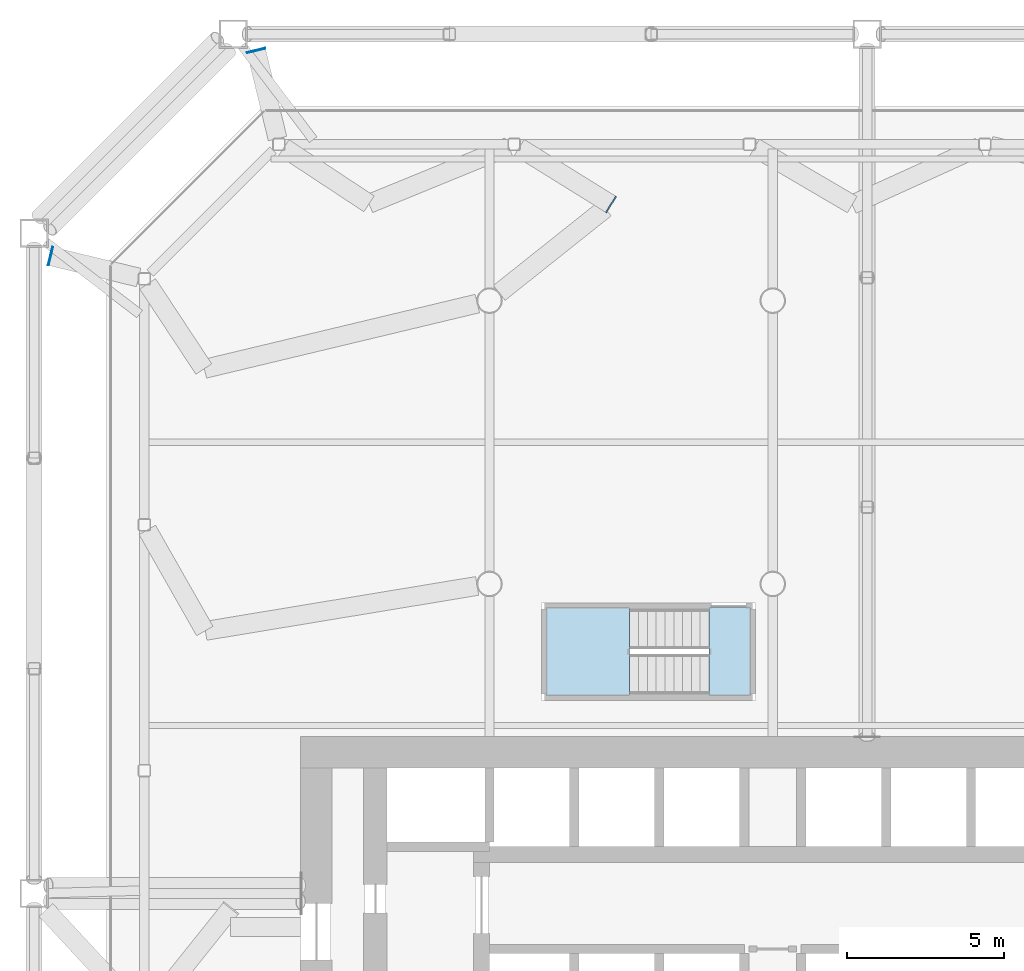
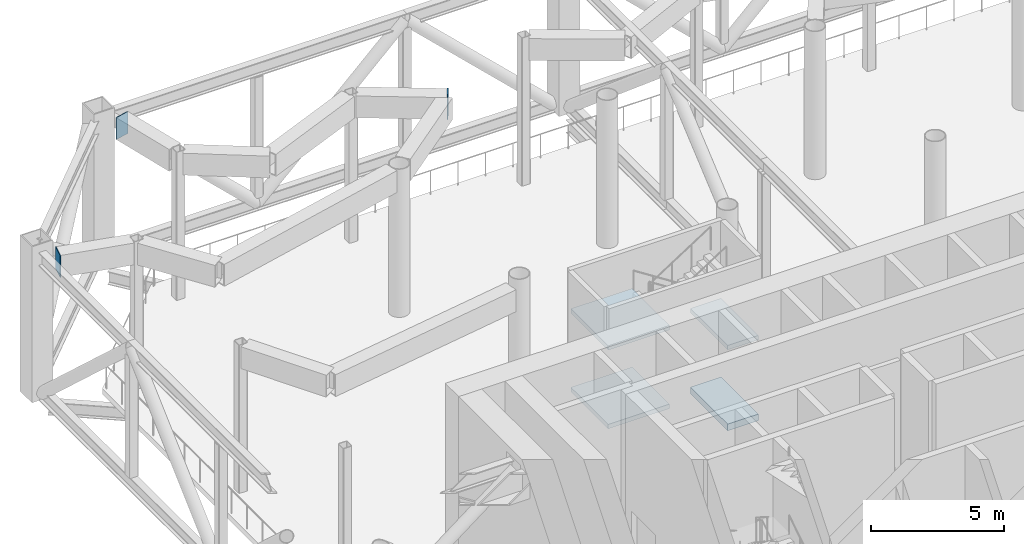
# One storey, part 10 of 20: 4 slabs, 3 plates, 1 element without a shape of its own.
"""IFC4 building model written with IfcOpenShell, lengths in metres."""

from ifc_helpers import new_model, si_unit, direction, frame, origin, origin_2d, place, context, subcontext, project, spatial, polyline, rectangle, outline, extrude, material, layer, layer_set, material_profile, profile_set, type_object, element, aggregate, save


model = new_model("IFC4")

# Units and contexts
model_context = context("Model", 3, precision=1e-05, world=origin(), true_north=direction((0.0, 1.0)))
body_context = subcontext(model_context, "Body", "Model", "MODEL_VIEW")
ifc_project = project(units=[si_unit("LENGTHUNIT", "METRE"), si_unit("AREAUNIT", "SQUARE_METRE"), si_unit("VOLUMEUNIT", "CUBIC_METRE"), si_unit("PLANEANGLEUNIT", "RADIAN"), si_unit("MASSUNIT", "GRAM", prefix="KILO")], contexts=[model_context])

# Site, building, storey
site_placement = place(None, origin())
site = spatial("IfcSite", under=ifc_project, at=site_placement, CompositionType="ELEMENT")
building_placement = place(site_placement, origin())
building = spatial("IfcBuilding", under=site, at=building_placement, Name="Tskaro Facet Tower", CompositionType="ELEMENT")
storey_placement = place(building_placement, frame((0.0, 0.0, 114.300048828125)))
storey = spatial("IfcBuildingStorey", under=building, at=storey_placement, Name="L27", CompositionType="ELEMENT", Elevation=114.300048828125)

# Plates
ifc_material_1 = material(Name="Steel S355J2", Category="steel")
ifc_material_profile = material_profile(ifc_material_1, rectangle(XDim=0.60009765625, YDim=1.0, at=origin_2d()), Name="PL 600x1000x30 end plate")
ifc_profile_set = profile_set([ifc_material_profile], Name="Steel S355J2")
plate_type = type_object("IfcPlateType", Name="PL 600x1000x30 end plate", PredefinedType="SHEET", material=ifc_profile_set)
for number, where, z_axis, x_axis, name in (
    (1, (-16.408447265625, 25.932373046875, 6.280029296875), (-0.234904462053, 0.972018463666, 0.0), (-0.972018463666, -0.234904462053, 0.0), "End plate CP8-16"),
    (2, (-22.932373046875, 19.408447265625, 6.280029296875), (-0.972018463666, 0.234904462053, 0.0), (-0.234904462053, -0.972018463666, 0.0), "End plate CP8-17"),
    (3, (-5.1513671875, 21.06396484375, 6.280029296875), (0.853884327381, -0.520462828118, 0.0), (0.520462828118, 0.853884327381, 0.0), "End plate CP8-22"),
):
    element("IfcPlate", number, at=place(storey_placement, frame(where, z_axis=z_axis, x_axis=x_axis)), inside=storey, type_object=plate_type, Name=name, PredefinedType="SHEET", context=body_context, shape_type="SweptSolid", body=[
        extrude(rectangle(XDim=0.60009765625, YDim=1.0, at=origin_2d()), origin(), (0.0, 0.0, 1.0), 0.030029296875),
    ])

# Stair, slabs
ifc_material_2 = material(Name="Concrete C40/50", Category="concrete")
stair_type = type_object("IfcStairType", Name="ST-TWR", PredefinedType="HALF_TURN_STAIR", material=ifc_material_2)
stair_placement = place(storey_placement, origin())
stair = element("IfcStair", 4, at=stair_placement, inside=storey, type_object=stair_type, Name="L27 Exit stair 3", PredefinedType="HALF_TURN_STAIR")
ifc_layer_1 = layer(ifc_material_2, 0.199951171875, Name="Concrete C40/50")
ifc_layer_set_1 = layer_set([ifc_layer_1], Name="Concrete C40/50")
slab_type_1 = type_object("IfcSlabType", Name="SL-LANDING", PredefinedType="LANDING", material=ifc_layer_set_1)
slab_1_placement = place(storey_placement, frame((0.0, 0.0, 1.599853515625)))
slab_1 = element("IfcSlab", 5, at=slab_1_placement, type_object=slab_type_1, Name="ST-3 landing 1", PredefinedType="LANDING", context=body_context, shape_type="SweptSolid", body=[
    extrude(outline(polyline([(-7.199951171875, 5.449951171875), (-4.544921875, 5.449951171875), (-4.544921875, 8.25), (-7.199951171875, 8.25), (-7.199951171875, 5.449951171875)])), origin(), (0.0, 0.0, 1.0), 0.2001953125),
])
slab_2_placement = place(storey_placement, frame((0.0, 0.0, 3.39990234375)))
slab_2 = element("IfcSlab", 6, at=slab_2_placement, type_object=slab_type_1, Name="ST-3 landing 2", PredefinedType="LANDING", context=body_context, shape_type="SweptSolid", body=[
    extrude(outline(polyline([(-2.02490234375, 5.449951171875), (-0.699951171875, 5.449951171875), (-0.699951171875, 8.25), (-2.02490234375, 8.25), (-2.02490234375, 5.449951171875)])), origin(), (0.0, 0.0, 1.0), 0.199951171875),
])
slab_3_placement = place(storey_placement, frame((0.0, 0.0, 5.199951171875)))
slab_3 = element("IfcSlab", 7, at=slab_3_placement, type_object=slab_type_1, Name="ST-3 landing 3", PredefinedType="LANDING", context=body_context, shape_type="SweptSolid", body=[
    extrude(outline(polyline([(-7.199951171875, 5.449951171875), (-4.544921875, 5.449951171875), (-4.544921875, 8.25), (-7.199951171875, 8.25), (-7.199951171875, 5.449951171875)])), origin(), (0.0, 0.0, 1.0), 0.199951171875),
])
aggregate(stair, [slab_1, slab_2, slab_3])

# Slab
ifc_material_3 = material(Name="Concrete C60/75", Category="concrete")
ifc_layer_2 = layer(ifc_material_3, 0.300048828125, Name="Concrete C60/75")
ifc_layer_set_2 = layer_set([ifc_layer_2], Name="Concrete C60/75")
slab_type_2 = type_object("IfcSlabType", Name="SLAB-CORE", PredefinedType="FLOOR", material=ifc_layer_set_2)
slab_4_placement = place(storey_placement, frame((0.0, 0.0, -0.300048828125)))
element("IfcSlab", 8, at=slab_4_placement, inside=storey, type_object=slab_type_2, Name="Stair 3 floor landing 1", PredefinedType="FLOOR", context=body_context, shape_type="SweptSolid", body=[
    extrude(outline(polyline([(-2.02490234375, 5.449951171875), (-0.699951171875, 5.449951171875), (-0.699951171875, 8.25), (-2.02490234375, 8.25), (-2.02490234375, 5.449951171875)])), origin(), (0.0, 0.0, 1.0), 0.300048828125),
])

save(model, "model.ifc")
